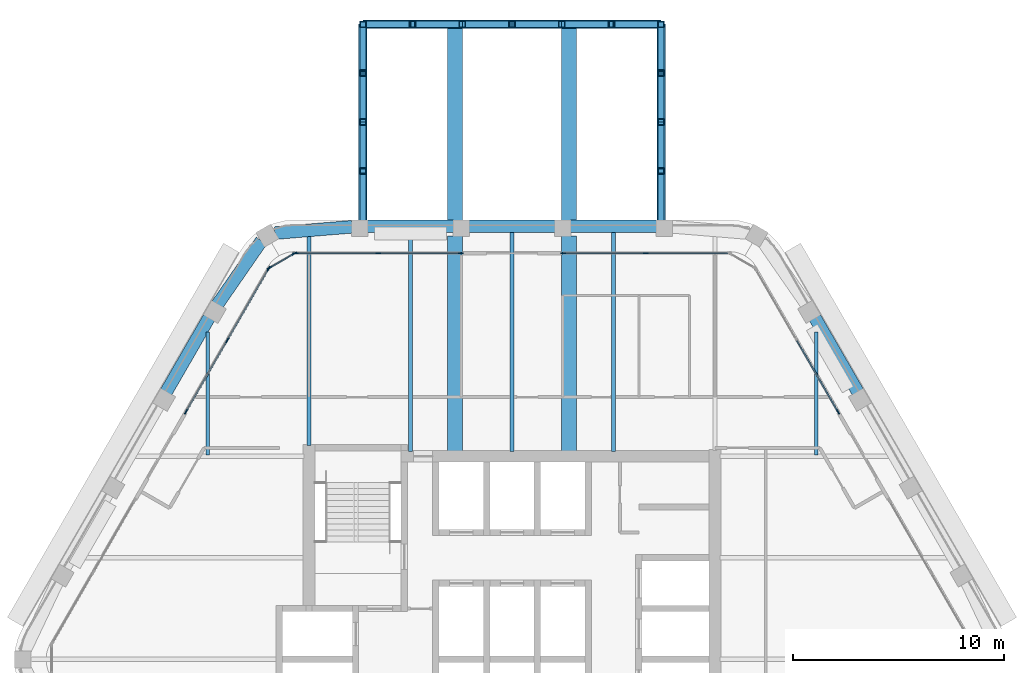
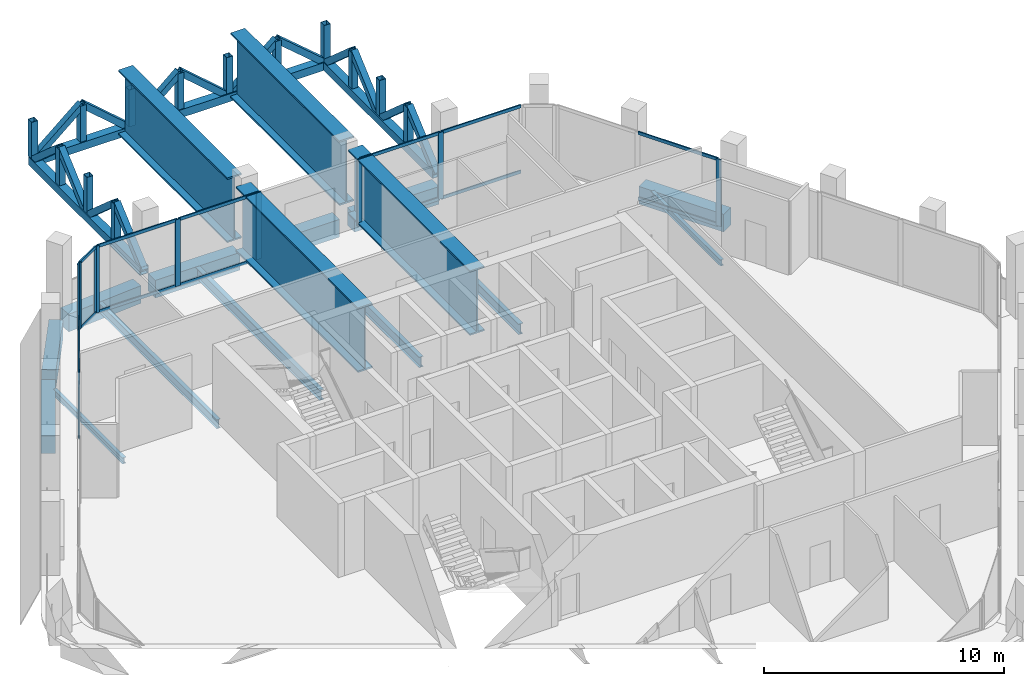
# One storey, part 5 of 14: 57 members, 17 beams, 5 elements without a shape of their own.
"""IFC4 building model written with IfcOpenShell, lengths in metres."""

from ifc_helpers import new_model, si_unit, direction, frame, origin, origin_2d, place, context, subcontext, project, spatial, rectangle, hollow_rectangle, i_section, extrude, material, material_profile, profile_set, type_object, element, aggregate, save


model = new_model("IFC4")

# Units and contexts
model_context = context("Model", 3, precision=1e-05, world=origin(), true_north=direction((0.0, 1.0)))
body_context = subcontext(model_context, "Body", "Model", "MODEL_VIEW")
ifc_project = project(units=[si_unit("LENGTHUNIT", "METRE"), si_unit("AREAUNIT", "SQUARE_METRE"), si_unit("VOLUMEUNIT", "CUBIC_METRE"), si_unit("PLANEANGLEUNIT", "RADIAN"), si_unit("MASSUNIT", "GRAM", prefix="KILO")], contexts=[model_context])

# Site, building, storey
site_placement = place(None, origin())
site = spatial("IfcSite", under=ifc_project, at=site_placement, CompositionType="ELEMENT")
building_placement = place(site_placement, origin())
building = spatial("IfcBuilding", under=site, at=building_placement, Name="Kolab Exchange Tower", CompositionType="ELEMENT")
storey_placement = place(building_placement, frame((0.0, 0.0, 265.699951171875)))
storey = spatial("IfcBuildingStorey", under=building, at=storey_placement, Name="L59", CompositionType="ELEMENT", Elevation=265.699951171875)

# Beams
ifc_material_1 = material(Name="Steel S355", Category="steel")
ifc_material_profile_1 = material_profile(ifc_material_1, i_section(OverallWidth=0.1650390625, OverallDepth=0.31005859375, WebThickness=0.005859375, FlangeThickness=0.009765625, at=origin_2d()), Name="W310X39")
ifc_profile_set_1 = profile_set([ifc_material_profile_1], Name="Steel S355")
beam_type_1 = type_object("IfcBeamType", Name="FLOOR BEAM W310X39", PredefinedType="BEAM", material=ifc_profile_set_1)
for number, where, z_axis, x_axis, name in (
    (1, (-14.39990234375, 9.674072265625, -0.304931640625), (0.0, 1.0, 0.0), (-1.0, 0.0, 0.0), "beam/L59/fr/004"),
    (2, (14.39990234375, 9.674072265625, -0.304931640625), (0.0, 1.0, 0.0), (-1.0, 0.0, 0.0), "beam/L59/fr/019"),
):
    element("IfcBeam", number, at=place(storey_placement, frame(where, z_axis=z_axis, x_axis=x_axis)), inside=storey, type_object=beam_type_1, Name=name, PredefinedType="BEAM", context=body_context, shape_type="SweptSolid", body=[
        extrude(i_section(OverallWidth=0.1650390625, OverallDepth=0.31005859375, WebThickness=0.005859375, FlangeThickness=0.009765625, at=origin_2d()), origin(), (0.0, 0.0, 1.0), 5.793701171875),
    ])
ifc_material_profile_2 = material_profile(ifc_material_1, i_section(OverallWidth=0.18994140625, OverallDepth=0.45703125, WebThickness=0.009033203125, FlangeThickness=0.014404296875, at=origin_2d()), Name="W460X74")
ifc_profile_set_2 = profile_set([ifc_material_profile_2], Name="Steel S355")
beam_type_2 = type_object("IfcBeamType", Name="FLOOR BEAM W460X74", PredefinedType="BEAM", material=ifc_profile_set_2)
beam_1_placement = place(storey_placement, frame((-9.60009765625, 10.110107421875, -0.37841796875), z_axis=(0.0, 1.0, 0.0), x_axis=(-1.0, 0.0, 0.0)))
element("IfcBeam", 3, at=beam_1_placement, inside=storey, type_object=beam_type_2, Name="beam/L59/fr/006", PredefinedType="BEAM", context=body_context, shape_type="SweptSolid", body=[
    extrude(i_section(OverallWidth=0.18994140625, OverallDepth=0.45703125, WebThickness=0.009033203125, FlangeThickness=0.014404296875, at=origin_2d()), origin(), (0.0, 0.0, 1.0), 9.9169921875),
])
ifc_material_profile_3 = material_profile(ifc_material_1, i_section(OverallWidth=0.208984375, OverallDepth=0.532958984375, WebThickness=0.01025390625, FlangeThickness=0.015625, at=origin_2d()), Name="W530X92")
ifc_profile_set_3 = profile_set([ifc_material_profile_3], Name="Steel S355")
beam_type_3 = type_object("IfcBeamType", Name="FLOOR BEAM W530X92", PredefinedType="BEAM", material=ifc_profile_set_3)
for number, where, z_axis, x_axis, name in (
    (4, (-4.800048828125, 9.8349609375, -0.41650390625), (0.0, 1.0, 0.0), (-1.0, 0.0, 0.0), "beam/L59/fr/008"),
    (5, (0.0, 9.8349609375, -0.41650390625), (0.0, 1.0, 0.0), (-1.0, 0.0, 0.0), "beam/L59/fr/010"),
    (6, (4.800048828125, 9.8349609375, -0.41650390625), (0.0, 1.0, 0.0), (-1.0, 0.0, 0.0), "beam/L59/fr/012"),
):
    element("IfcBeam", number, at=place(storey_placement, frame(where, z_axis=z_axis, x_axis=x_axis)), inside=storey, type_object=beam_type_3, Name=name, PredefinedType="BEAM", context=body_context, shape_type="SweptSolid", body=[
        extrude(i_section(OverallWidth=0.208984375, OverallDepth=0.532958984375, WebThickness=0.01025390625, FlangeThickness=0.015625, at=origin_2d()), origin(), (0.0, 0.0, 1.0), 10.3896484375),
    ])
ifc_material_profile_4 = material_profile(ifc_material_1, i_section(OverallWidth=0.699951171875, OverallDepth=3.300048828125, WebThickness=0.050048828125, FlangeThickness=0.080078125, at=origin_2d()), Name="PG3300X700")
ifc_profile_set_4 = profile_set([ifc_material_profile_4], Name="Steel S355")
beam_type_4 = type_object("IfcBeamType", Name="POOL GIRDER PG3300X700", PredefinedType="BEAM", material=ifc_profile_set_4)
beam_2_placement = place(storey_placement, frame((-2.699951171875, 9.8349609375, 1.75), z_axis=(0.0, 1.0, 0.0), x_axis=(-1.0, 0.0, 0.0)))
element("IfcBeam", 7, at=beam_2_placement, inside=storey, type_object=beam_type_4, Name="beam/L59/pool/W-back", PredefinedType="BEAM", context=body_context, shape_type="SweptSolid", body=[
    extrude(i_section(OverallWidth=0.699951171875, OverallDepth=3.300048828125, WebThickness=0.050048828125, FlangeThickness=0.080078125, at=origin_2d()), origin(), (0.0, 0.0, 1.0), 10.189697265625),
])
beam_3_placement = place(storey_placement, frame((-2.699951171875, 20.74462890625, 1.75), z_axis=(0.0, 1.0, 0.0), x_axis=(-1.0, 0.0, 0.0)))
element("IfcBeam", 8, at=beam_3_placement, inside=storey, type_object=beam_type_4, Name="beam/L59/pool/W-tip", PredefinedType="BEAM", context=body_context, shape_type="SweptSolid", body=[
    extrude(i_section(OverallWidth=0.699951171875, OverallDepth=3.300048828125, WebThickness=0.050048828125, FlangeThickness=0.080078125, at=origin_2d()), origin(), (0.0, 0.0, 1.0), 9.080078125),
])
beam_4_placement = place(storey_placement, frame((2.699951171875, 9.8349609375, 1.75), z_axis=(0.0, 1.0, 0.0), x_axis=(-1.0, 0.0, 0.0)))
element("IfcBeam", 9, at=beam_4_placement, inside=storey, type_object=beam_type_4, Name="beam/L59/pool/E-back", PredefinedType="BEAM", context=body_context, shape_type="SweptSolid", body=[
    extrude(i_section(OverallWidth=0.699951171875, OverallDepth=3.300048828125, WebThickness=0.050048828125, FlangeThickness=0.080078125, at=origin_2d()), origin(), (0.0, 0.0, 1.0), 10.189697265625),
])
beam_5_placement = place(storey_placement, frame((2.699951171875, 20.74462890625, 1.75), z_axis=(0.0, 1.0, 0.0), x_axis=(-1.0, 0.0, 0.0)))
element("IfcBeam", 10, at=beam_5_placement, inside=storey, type_object=beam_type_4, Name="beam/L59/pool/E-tip", PredefinedType="BEAM", context=body_context, shape_type="SweptSolid", body=[
    extrude(i_section(OverallWidth=0.699951171875, OverallDepth=3.300048828125, WebThickness=0.050048828125, FlangeThickness=0.080078125, at=origin_2d()), origin(), (0.0, 0.0, 1.0), 9.080078125),
])

# Members
ifc_material_profile_5 = material_profile(ifc_material_1, hollow_rectangle(XDim=0.300048828125, YDim=0.300048828125, WallThickness=0.01611328125, at=origin_2d()), Name="HSS300X300X16")
ifc_profile_set_5 = profile_set([ifc_material_profile_5], Name="Steel S355")
member_type_1 = type_object("IfcMemberType", Name="POOL TRUSS BRACE HSS300X300X16", PredefinedType="BRACE", material=ifc_profile_set_5)
member_1_placement = place(storey_placement, frame((-7.050048828125, 20.74462890625, 0.10009765625), z_axis=(0.0, 0.755502792525, 0.655145426976), x_axis=(-1.0, 0.0, 0.0)))
element("IfcMember", 11, at=member_1_placement, inside=storey, type_object=member_type_1, Name="mem/L59/pool/W-truss/diag-1", PredefinedType="BRACE", context=body_context, shape_type="SweptSolid", body=[
    extrude(hollow_rectangle(XDim=0.300048828125, YDim=0.300048828125, WallThickness=0.01611328125, at=origin_2d()), origin(), (0.0, 0.0, 1.0), 3.11376953125),
])
for number, where, z_axis, x_axis, name in (
    (12, (-7.050048828125, 23.09716796875, 2.14013671875), (0.0, 0.749902543592, -0.661548316538), (-1.0, 0.0, 0.0), "mem/L59/pool/W-truss/diag-2"),
    (13, (-7.050048828125, 25.40966796875, 0.10009765625), (0.0, 0.749902543592, 0.661548316538), (-1.0, 0.0, 0.0), "mem/L59/pool/W-truss/diag-3"),
    (14, (-7.050048828125, 27.72216796875, 2.14013671875), (0.0, 0.749902543592, -0.661548316538), (-1.0, 0.0, 0.0), "mem/L59/pool/W-truss/diag-4"),
):
    element("IfcMember", number, at=place(storey_placement, frame(where, z_axis=z_axis, x_axis=x_axis)), inside=storey, type_object=member_type_1, Name=name, PredefinedType="BRACE", context=body_context, shape_type="SweptSolid", body=[
        extrude(hollow_rectangle(XDim=0.300048828125, YDim=0.300048828125, WallThickness=0.01611328125, at=origin_2d()), origin(), (0.0, 0.0, 1.0), 3.083740234375),
    ])
member_2_placement = place(storey_placement, frame((7.050048828125, 20.74462890625, 0.10009765625), z_axis=(0.0, 0.755502792525, 0.655145426976), x_axis=(-1.0, 0.0, 0.0)))
element("IfcMember", 15, at=member_2_placement, inside=storey, type_object=member_type_1, Name="mem/L59/pool/E-truss/diag-1", PredefinedType="BRACE", context=body_context, shape_type="SweptSolid", body=[
    extrude(hollow_rectangle(XDim=0.300048828125, YDim=0.300048828125, WallThickness=0.01611328125, at=origin_2d()), origin(), (0.0, 0.0, 1.0), 3.11376953125),
])
for number, where, z_axis, x_axis, name in (
    (16, (7.050048828125, 23.09716796875, 2.14013671875), (0.0, 0.749902543592, -0.661548316538), (-1.0, 0.0, 0.0), "mem/L59/pool/E-truss/diag-2"),
    (17, (7.050048828125, 25.40966796875, 0.10009765625), (0.0, 0.749902543592, 0.661548316538), (-1.0, 0.0, 0.0), "mem/L59/pool/E-truss/diag-3"),
    (18, (7.050048828125, 27.72216796875, 2.14013671875), (0.0, 0.749902543592, -0.661548316538), (-1.0, 0.0, 0.0), "mem/L59/pool/E-truss/diag-4"),
):
    element("IfcMember", number, at=place(storey_placement, frame(where, z_axis=z_axis, x_axis=x_axis)), inside=storey, type_object=member_type_1, Name=name, PredefinedType="BRACE", context=body_context, shape_type="SweptSolid", body=[
        extrude(hollow_rectangle(XDim=0.300048828125, YDim=0.300048828125, WallThickness=0.01611328125, at=origin_2d()), origin(), (0.0, 0.0, 1.0), 3.083740234375),
    ])
member_3_placement = place(storey_placement, frame((-7.090087890625, 30.03466796875, 0.10009765625), z_axis=(0.760615029795, 0.0, 0.649203185798), x_axis=(0.0, 1.0, 0.0)))
element("IfcMember", 19, at=member_3_placement, inside=storey, type_object=member_type_1, Name="mem/L59/pool/tip-truss/diag-1", PredefinedType="BRACE", context=body_context, shape_type="SweptSolid", body=[
    extrude(hollow_rectangle(XDim=0.300048828125, YDim=0.300048828125, WallThickness=0.01611328125, at=origin_2d()), origin(), (0.0, 0.0, 1.0), 3.142333984375),
])
member_4_placement = place(storey_placement, frame((-4.699951171875, 30.03466796875, 2.14013671875), z_axis=(0.755132255206, 0.0, -0.655572480468), x_axis=(0.0, 1.0, 0.0)))
element("IfcMember", 20, at=member_4_placement, inside=storey, type_object=member_type_1, Name="mem/L59/pool/tip-truss/diag-2", PredefinedType="BRACE", context=body_context, shape_type="SweptSolid", body=[
    extrude(hollow_rectangle(XDim=0.300048828125, YDim=0.300048828125, WallThickness=0.01611328125, at=origin_2d()), origin(), (0.0, 0.0, 1.0), 3.11181640625),
])
for number, where, z_axis, x_axis, name in (
    (21, (-2.35009765625, 30.03466796875, 0.10009765625), (0.755165970358, 0.0, 0.655533643083), (0.0, 1.0, 0.0), "mem/L59/pool/tip-truss/diag-3"),
    (22, (0.0, 30.03466796875, 2.14013671875), (0.755165970358, 0.0, -0.655533643083), (0.0, 1.0, 0.0), "mem/L59/pool/tip-truss/diag-4"),
):
    element("IfcMember", number, at=place(storey_placement, frame(where, z_axis=z_axis, x_axis=x_axis)), inside=storey, type_object=member_type_1, Name=name, PredefinedType="BRACE", context=body_context, shape_type="SweptSolid", body=[
        extrude(hollow_rectangle(XDim=0.300048828125, YDim=0.300048828125, WallThickness=0.01611328125, at=origin_2d()), origin(), (0.0, 0.0, 1.0), 3.112060546875),
    ])
member_5_placement = place(storey_placement, frame((2.35009765625, 30.03466796875, 0.10009765625), z_axis=(0.755132255206, 0.0, 0.655572480468), x_axis=(0.0, 1.0, 0.0)))
element("IfcMember", 23, at=member_5_placement, inside=storey, type_object=member_type_1, Name="mem/L59/pool/tip-truss/diag-5", PredefinedType="BRACE", context=body_context, shape_type="SweptSolid", body=[
    extrude(hollow_rectangle(XDim=0.300048828125, YDim=0.300048828125, WallThickness=0.01611328125, at=origin_2d()), origin(), (0.0, 0.0, 1.0), 3.11181640625),
])
member_6_placement = place(storey_placement, frame((4.699951171875, 30.03466796875, 2.14013671875), z_axis=(0.760615029795, 0.0, -0.649203185798), x_axis=(0.0, 1.0, 0.0)))
element("IfcMember", 24, at=member_6_placement, inside=storey, type_object=member_type_1, Name="mem/L59/pool/tip-truss/diag-6", PredefinedType="BRACE", context=body_context, shape_type="SweptSolid", body=[
    extrude(hollow_rectangle(XDim=0.300048828125, YDim=0.300048828125, WallThickness=0.01611328125, at=origin_2d()), origin(), (0.0, 0.0, 1.0), 3.142333984375),
])
ifc_material_profile_6 = material_profile(ifc_material_1, hollow_rectangle(XDim=0.39990234375, YDim=0.39990234375, WallThickness=0.02001953125, at=origin_2d()), Name="HSS400X400X20")
ifc_profile_set_6 = profile_set([ifc_material_profile_6], Name="Steel S355")
member_type_2 = type_object("IfcMemberType", Name="POOL TRUSS CHORD HSS400X400X20", PredefinedType="CHORD", material=ifc_profile_set_6)
for number, where, z_axis, x_axis, name in (
    (25, (-7.050048828125, 20.74462890625, 0.10009765625), (0.0, 1.0, 0.0), (-1.0, 0.0, 0.0), "mem/L59/pool/W-truss/chord"),
    (26, (7.050048828125, 20.74462890625, 0.10009765625), (0.0, 1.0, 0.0), (-1.0, 0.0, 0.0), "mem/L59/pool/E-truss/chord"),
):
    element("IfcMember", number, at=place(storey_placement, frame(where, z_axis=z_axis, x_axis=x_axis)), inside=storey, type_object=member_type_2, Name=name, PredefinedType="CHORD", context=body_context, shape_type="SweptSolid", body=[
        extrude(hollow_rectangle(XDim=0.39990234375, YDim=0.39990234375, WallThickness=0.02001953125, at=origin_2d()), origin(), (0.0, 0.0, 1.0), 9.2900390625),
    ])
member_7_placement = place(storey_placement, frame((-7.050048828125, 30.03466796875, 0.10009765625), z_axis=(1.0, 0.0, 0.0), x_axis=(0.0, 1.0, 0.0)))
element("IfcMember", 27, at=member_7_placement, inside=storey, type_object=member_type_2, Name="mem/L59/pool/tip-truss/chord", PredefinedType="CHORD", context=body_context, shape_type="SweptSolid", body=[
    extrude(hollow_rectangle(XDim=0.39990234375, YDim=0.39990234375, WallThickness=0.02001953125, at=origin_2d()), origin(), (0.0, 0.0, 1.0), 14.10009765625),
])
ifc_material_profile_7 = material_profile(ifc_material_1, hollow_rectangle(XDim=0.300048828125, YDim=0.300048828125, WallThickness=0.01611328125, at=origin_2d()), Name="HSS300X300X16")
ifc_profile_set_7 = profile_set([ifc_material_profile_7], Name="Steel S355")
member_type_3 = type_object("IfcMemberType", Name="POOL TRUSS POST HSS300X300X16", PredefinedType="POST", material=ifc_profile_set_7)
for number, where, z_axis, x_axis, name in (
    (28, (-7.050048828125, 23.09716796875, 0.260009765625), (0.0, 0.0, 1.0), (1.0, 0.0, 0.0), "mem/L59/pool/W-truss/post-1"),
    (29, (-7.050048828125, 25.40966796875, 0.260009765625), (0.0, 0.0, 1.0), (1.0, 0.0, 0.0), "mem/L59/pool/W-truss/post-2"),
    (30, (-7.050048828125, 27.72216796875, 0.260009765625), (0.0, 0.0, 1.0), (1.0, 0.0, 0.0), "mem/L59/pool/W-truss/post-3"),
    (31, (-7.050048828125, 30.03466796875, 0.260009765625), (0.0, 0.0, 1.0), (1.0, 0.0, 0.0), "mem/L59/pool/W-truss/post-4"),
    (32, (7.050048828125, 23.09716796875, 0.260009765625), (0.0, 0.0, 1.0), (1.0, 0.0, 0.0), "mem/L59/pool/E-truss/post-1"),
    (33, (7.050048828125, 25.40966796875, 0.260009765625), (0.0, 0.0, 1.0), (1.0, 0.0, 0.0), "mem/L59/pool/E-truss/post-2"),
    (34, (7.050048828125, 27.72216796875, 0.260009765625), (0.0, 0.0, 1.0), (1.0, 0.0, 0.0), "mem/L59/pool/E-truss/post-3"),
    (35, (7.050048828125, 30.03466796875, 0.260009765625), (0.0, 0.0, 1.0), (1.0, 0.0, 0.0), "mem/L59/pool/E-truss/post-4"),
    (36, (-4.699951171875, 30.03466796875, 0.260009765625), (0.0, 0.0, 1.0), (1.0, 0.0, 0.0), "mem/L59/pool/tip-truss/post-1"),
    (37, (-2.35009765625, 30.03466796875, 0.260009765625), (0.0, 0.0, 1.0), (1.0, 0.0, 0.0), "mem/L59/pool/tip-truss/post-2"),
    (38, (0.0, 30.03466796875, 0.260009765625), (0.0, 0.0, 1.0), (1.0, 0.0, 0.0), "mem/L59/pool/tip-truss/post-3"),
    (39, (2.35009765625, 30.03466796875, 0.260009765625), (0.0, 0.0, 1.0), (1.0, 0.0, 0.0), "mem/L59/pool/tip-truss/post-4"),
    (40, (4.699951171875, 30.03466796875, 0.260009765625), (0.0, 0.0, 1.0), (1.0, 0.0, 0.0), "mem/L59/pool/tip-truss/post-5"),
):
    element("IfcMember", number, at=place(storey_placement, frame(where, z_axis=z_axis, x_axis=x_axis)), inside=storey, type_object=member_type_3, Name=name, PredefinedType="POST", context=body_context, shape_type="SweptSolid", body=[
        extrude(hollow_rectangle(XDim=0.300048828125, YDim=0.300048828125, WallThickness=0.01611328125, at=origin_2d()), origin(), (0.0, 0.0, 1.0), 1.880126953125),
    ])

# Beams
ifc_material_2 = material(Name="Concrete C50/60", Category="concrete")
ifc_material_profile_8 = material_profile(ifc_material_2, rectangle(XDim=0.60009765625, YDim=0.89990234375, at=origin_2d()), Name="RC600X900")
ifc_profile_set_8 = profile_set([ifc_material_profile_8], Name="Concrete C50/60")
beam_type_5 = type_object("IfcBeamType", Name="SPANDREL BEAM 600X900 C50/60", PredefinedType="BEAM", material=ifc_profile_set_8)
beam_6_placement = place(storey_placement, frame((-11.216796875, 20.15576171875, -0.599853515625), z_axis=(0.996666751878, 0.081580547323, 0.0), x_axis=(-0.081580547323, 0.996666751878, 0.0)))
element("IfcBeam", 41, at=beam_6_placement, inside=storey, type_object=beam_type_5, Name="beam/L59/sp/F1-01", PredefinedType="BEAM", context=body_context, shape_type="SweptSolid", body=[
    extrude(rectangle(XDim=0.60009765625, YDim=0.89990234375, at=origin_2d()), origin(), (0.0, 0.0, 1.0), 3.6689453125),
])
for number, where, z_axis, x_axis, name in (
    (42, (-6.840087890625, 20.484619140625, -0.599853515625), (1.0, 0.0, 0.0), (0.0, 1.0, 0.0), "beam/L59/sp/F1-02"),
    (43, (-2.0400390625, 20.484619140625, -0.599853515625), (1.0, 0.0, 0.0), (0.0, 1.0, 0.0), "beam/L59/sp/F1-03"),
    (44, (2.760009765625, 20.484619140625, -0.599853515625), (1.0, 0.0, 0.0), (0.0, 1.0, 0.0), "beam/L59/sp/F1-04"),
):
    element("IfcBeam", number, at=place(storey_placement, frame(where, z_axis=z_axis, x_axis=x_axis)), inside=storey, type_object=beam_type_5, Name=name, PredefinedType="BEAM", context=body_context, shape_type="SweptSolid", body=[
        extrude(rectangle(XDim=0.60009765625, YDim=0.89990234375, at=origin_2d()), origin(), (0.0, 0.0, 1.0), 4.080078125),
    ])
for number, where, z_axis, x_axis, name in (
    (45, (14.3203125, 16.166015625, -0.599853515625), (0.499955548806, -0.866051066172, 0.0), (0.866051066172, 0.499955548806, 0.0), "beam/L59/sp/F2-02"),
    (46, (-16.360107421875, 12.632568359375, -0.599853515625), (0.499955548806, 0.866051066172, 0.0), (-0.866051066172, 0.499955548806, 0.0), "beam/L59/sp/F6-04"),
):
    element("IfcBeam", number, at=place(storey_placement, frame(where, z_axis=z_axis, x_axis=x_axis)), inside=storey, type_object=beam_type_5, Name=name, PredefinedType="BEAM", context=body_context, shape_type="SweptSolid", body=[
        extrude(rectangle(XDim=0.60009765625, YDim=0.89990234375, at=origin_2d()), origin(), (0.0, 0.0, 1.0), 4.079833984375),
    ])
beam_7_placement = place(storey_placement, frame((-13.9345703125, 16.77490234375, -0.599853515625), z_axis=(0.569005808573, 0.822333502789, 0.0), x_axis=(-0.822333502789, 0.569005808573, 0.0)))
element("IfcBeam", 47, at=beam_7_placement, inside=storey, type_object=beam_type_5, Name="beam/L59/sp/F6-05", PredefinedType="BEAM", context=body_context, shape_type="SweptSolid", body=[
    extrude(rectangle(XDim=0.60009765625, YDim=0.89990234375, at=origin_2d()), origin(), (0.0, 0.0, 1.0), 3.6689453125),
])

# Curtain wall, members
ifc_material_3 = material(Name="Aluminium EN AW-6063 T6", Category="aluminium")
curtain_wall_type = type_object("IfcCurtainWallType", Name="UNITISED HIGH ZONE CURTAIN WALL", PredefinedType="NOTDEFINED", material=ifc_material_3)
curtain_wall_1_placement = place(storey_placement, origin())
curtain_wall_1 = element("IfcCurtainWall", 48, at=curtain_wall_1_placement, inside=storey, type_object=curtain_wall_type, Name="cw/L59/F1-1", PredefinedType="NOTDEFINED")
ifc_material_profile_9 = material_profile(ifc_material_3, rectangle(XDim=0.06005859375, YDim=0.239990234375, at=origin_2d()), Name="RECT 60X240")
ifc_profile_set_9 = profile_set([ifc_material_profile_9], Name="Aluminium EN AW-6063 T6")
member_type_4 = type_object("IfcMemberType", Name="UNITISED HIGH ZONE MULLION 60 X 240", PredefinedType="MULLION", material=ifc_profile_set_9)
member_8_placement = place(storey_placement, frame((-10.238037109375, 19.20458984375, 0.0), z_axis=(0.0, 0.0, 1.0), x_axis=(0.0, 1.0, 0.0)))
member_8 = element("IfcMember", 49, at=member_8_placement, type_object=member_type_4, Name="CW4 mullion 1", PredefinedType="MULLION", context=body_context, shape_type="SweptSolid", body=[
    extrude(rectangle(XDim=0.06005859375, YDim=0.239990234375, at=origin_2d()), origin(), (0.0, 0.0, 1.0), 3.400146484375),
])
member_9_placement = place(storey_placement, frame((-6.333984375, 19.20458984375, 0.0), z_axis=(0.0, 0.0, 1.0), x_axis=(0.0, 1.0, 0.0)))
member_9 = element("IfcMember", 50, at=member_9_placement, type_object=member_type_4, Name="CW4 mullion 2", PredefinedType="MULLION", context=body_context, shape_type="SweptSolid", body=[
    extrude(rectangle(XDim=0.06005859375, YDim=0.239990234375, at=origin_2d()), origin(), (0.0, 0.0, 1.0), 3.400146484375),
])
member_10_placement = place(storey_placement, frame((-2.429931640625, 19.20458984375, 0.0), z_axis=(0.0, 0.0, 1.0), x_axis=(0.0, 1.0, 0.0)))
member_10 = element("IfcMember", 51, at=member_10_placement, type_object=member_type_4, Name="CW4 mullion 3", PredefinedType="MULLION", context=body_context, shape_type="SweptSolid", body=[
    extrude(rectangle(XDim=0.06005859375, YDim=0.239990234375, at=origin_2d()), origin(), (0.0, 0.0, 1.0), 3.400146484375),
])

curtain_wall_2_placement = place(storey_placement, origin())
curtain_wall_2 = element("IfcCurtainWall", 52, at=curtain_wall_2_placement, inside=storey, type_object=curtain_wall_type, Name="cw/L59/F1-2", PredefinedType="NOTDEFINED")
member_11_placement = place(storey_placement, frame((2.429931640625, 19.20458984375, 0.0), z_axis=(0.0, 0.0, 1.0), x_axis=(0.0, 1.0, 0.0)))
member_11 = element("IfcMember", 53, at=member_11_placement, type_object=member_type_4, Name="CW4 mullion 1", PredefinedType="MULLION", context=body_context, shape_type="SweptSolid", body=[
    extrude(rectangle(XDim=0.06005859375, YDim=0.239990234375, at=origin_2d()), origin(), (0.0, 0.0, 1.0), 3.400146484375),
])
member_12_placement = place(storey_placement, frame((6.333984375, 19.20458984375, 0.0), z_axis=(0.0, 0.0, 1.0), x_axis=(0.0, 1.0, 0.0)))
member_12 = element("IfcMember", 54, at=member_12_placement, type_object=member_type_4, Name="CW4 mullion 2", PredefinedType="MULLION", context=body_context, shape_type="SweptSolid", body=[
    extrude(rectangle(XDim=0.06005859375, YDim=0.239990234375, at=origin_2d()), origin(), (0.0, 0.0, 1.0), 3.400146484375),
])

# Curtain wall, member
curtain_wall_3_placement = place(storey_placement, origin())
curtain_wall_3 = element("IfcCurtainWall", 55, at=curtain_wall_3_placement, inside=storey, type_object=curtain_wall_type, Name="cw/L59/F2-1", PredefinedType="NOTDEFINED")
member_13_placement = place(storey_placement, frame((15.416748046875, 11.706787109375, 0.0), z_axis=(0.0, 0.0, 1.0), x_axis=(0.866025385493, 0.500000031681, 0.0)))
member_13 = element("IfcMember", 56, at=member_13_placement, type_object=member_type_4, Name="CW4 mullion 3", PredefinedType="MULLION", context=body_context, shape_type="SweptSolid", body=[
    extrude(rectangle(XDim=0.06005859375, YDim=0.239990234375, at=origin_2d()), origin(), (0.0, 0.0, 1.0), 3.400146484375),
])

# Curtain wall, members
curtain_wall_4_placement = place(storey_placement, origin())
curtain_wall_4 = element("IfcCurtainWall", 57, at=curtain_wall_4_placement, inside=storey, type_object=curtain_wall_type, Name="cw/L59/F6-2", PredefinedType="NOTDEFINED")
member_14_placement = place(storey_placement, frame((-15.416748046875, 11.706787109375, 0.0), z_axis=(0.0, 0.0, 1.0), x_axis=(-0.866025385493, 0.500000031681, 0.0)))
member_14 = element("IfcMember", 58, at=member_14_placement, type_object=member_type_4, Name="CW4 mullion 1", PredefinedType="MULLION", context=body_context, shape_type="SweptSolid", body=[
    extrude(rectangle(XDim=0.06005859375, YDim=0.239990234375, at=origin_2d()), origin(), (0.0, 0.0, 1.0), 3.400146484375),
])
member_15_placement = place(storey_placement, frame((-13.464599609375, 15.087646484375, 0.0), z_axis=(0.0, 0.0, 1.0), x_axis=(-0.866025385493, 0.500000031681, 0.0)))
member_15 = element("IfcMember", 59, at=member_15_placement, type_object=member_type_4, Name="CW4 mullion 2", PredefinedType="MULLION", context=body_context, shape_type="SweptSolid", body=[
    extrude(rectangle(XDim=0.06005859375, YDim=0.239990234375, at=origin_2d()), origin(), (0.0, 0.0, 1.0), 3.400146484375),
])
member_16_placement = place(storey_placement, frame((-11.5126953125, 18.46875, 0.0), z_axis=(0.0, 0.0, 1.0), x_axis=(-0.866025385493, 0.500000031681, 0.0)))
member_16 = element("IfcMember", 60, at=member_16_placement, type_object=member_type_4, Name="CW4 mullion 3", PredefinedType="MULLION", context=body_context, shape_type="SweptSolid", body=[
    extrude(rectangle(XDim=0.06005859375, YDim=0.239990234375, at=origin_2d()), origin(), (0.0, 0.0, 1.0), 3.400146484375),
])

curtain_wall_5_placement = place(storey_placement, origin())
curtain_wall_5 = element("IfcCurtainWall", 61, at=curtain_wall_5_placement, inside=storey, type_object=curtain_wall_type, Name="cw/L59/F6F1-corner", PredefinedType="NOTDEFINED")
member_17_placement = place(storey_placement, frame((-11.4716796875, 18.509521484375, 0.0), z_axis=(0.0, 0.0, 1.0), x_axis=(-0.50000002237, 0.866025390869, 0.0)))
member_17 = element("IfcMember", 62, at=member_17_placement, type_object=member_type_4, Name="CW4 mullion 1", PredefinedType="MULLION", context=body_context, shape_type="SweptSolid", body=[
    extrude(rectangle(XDim=0.06005859375, YDim=0.239990234375, at=origin_2d()), origin(), (0.0, 0.0, 1.0), 3.400146484375),
])
member_18_placement = place(storey_placement, frame((-10.2939453125, 19.189697265625, 0.0), z_axis=(0.0, 0.0, 1.0), x_axis=(-0.50000002237, 0.866025390869, 0.0)))
member_18 = element("IfcMember", 63, at=member_18_placement, type_object=member_type_4, Name="CW4 mullion 2", PredefinedType="MULLION", context=body_context, shape_type="SweptSolid", body=[
    extrude(rectangle(XDim=0.06005859375, YDim=0.239990234375, at=origin_2d()), origin(), (0.0, 0.0, 1.0), 3.400146484375),
])

# Member
ifc_material_profile_10 = material_profile(ifc_material_3, rectangle(XDim=0.06005859375, YDim=0.159912109375, at=origin_2d()), Name="RECT 60X160")
ifc_profile_set_10 = profile_set([ifc_material_profile_10], Name="Aluminium EN AW-6063 T6")
member_type_5 = type_object("IfcMemberType", Name="UNITISED HIGH ZONE TRANSOM 60 X 160", PredefinedType="USERDEFINED", material=ifc_profile_set_10)
member_19_placement = place(storey_placement, frame((-10.2080078125, 19.20458984375, 0.030029296875), z_axis=(1.0, 0.0, 0.0), x_axis=(0.0, 1.0, 0.0)))
member_19 = element("IfcMember", 64, at=member_19_placement, type_object=member_type_5, Name="CW4 transom 1.1", ObjectType="TRANSOM", PredefinedType="USERDEFINED", context=body_context, shape_type="SweptSolid", body=[
    extrude(rectangle(XDim=0.06005859375, YDim=0.159912109375, at=origin_2d()), origin(), (0.0, 0.0, 1.0), 3.843994140625),
])

member_20_placement = place(storey_placement, frame((-10.2080078125, 19.20458984375, 3.3701171875), z_axis=(1.0, 0.0, 0.0), x_axis=(0.0, 1.0, 0.0)))
member_20 = element("IfcMember", 65, at=member_20_placement, type_object=member_type_5, Name="CW4 transom 1.2", ObjectType="TRANSOM", PredefinedType="USERDEFINED", context=body_context, shape_type="SweptSolid", body=[
    extrude(rectangle(XDim=0.06005859375, YDim=0.159912109375, at=origin_2d()), origin(), (0.0, 0.0, 1.0), 3.843994140625),
])

member_21_placement = place(storey_placement, frame((-6.303955078125, 19.20458984375, 0.030029296875), z_axis=(1.0, 0.0, 0.0), x_axis=(0.0, 1.0, 0.0)))
member_21 = element("IfcMember", 66, at=member_21_placement, type_object=member_type_5, Name="CW4 transom 2.1", ObjectType="TRANSOM", PredefinedType="USERDEFINED", context=body_context, shape_type="SweptSolid", body=[
    extrude(rectangle(XDim=0.06005859375, YDim=0.159912109375, at=origin_2d()), origin(), (0.0, 0.0, 1.0), 3.843994140625),
])

member_22_placement = place(storey_placement, frame((-6.303955078125, 19.20458984375, 3.3701171875), z_axis=(1.0, 0.0, 0.0), x_axis=(0.0, 1.0, 0.0)))
member_22 = element("IfcMember", 67, at=member_22_placement, type_object=member_type_5, Name="CW4 transom 2.2", ObjectType="TRANSOM", PredefinedType="USERDEFINED", context=body_context, shape_type="SweptSolid", body=[
    extrude(rectangle(XDim=0.06005859375, YDim=0.159912109375, at=origin_2d()), origin(), (0.0, 0.0, 1.0), 3.843994140625),
])

aggregate(curtain_wall_1, [member_8, member_9, member_10, member_19, member_20, member_21, member_22])

member_23_placement = place(storey_placement, frame((2.4599609375, 19.20458984375, 0.030029296875), z_axis=(1.0, 0.0, 0.0), x_axis=(0.0, 1.0, 0.0)))
member_23 = element("IfcMember", 68, at=member_23_placement, type_object=member_type_5, Name="CW4 transom 1.1", ObjectType="TRANSOM", PredefinedType="USERDEFINED", context=body_context, shape_type="SweptSolid", body=[
    extrude(rectangle(XDim=0.06005859375, YDim=0.159912109375, at=origin_2d()), origin(), (0.0, 0.0, 1.0), 3.843994140625),
])

member_24_placement = place(storey_placement, frame((2.4599609375, 19.20458984375, 3.3701171875), z_axis=(1.0, 0.0, 0.0), x_axis=(0.0, 1.0, 0.0)))
member_24 = element("IfcMember", 69, at=member_24_placement, type_object=member_type_5, Name="CW4 transom 1.2", ObjectType="TRANSOM", PredefinedType="USERDEFINED", context=body_context, shape_type="SweptSolid", body=[
    extrude(rectangle(XDim=0.06005859375, YDim=0.159912109375, at=origin_2d()), origin(), (0.0, 0.0, 1.0), 3.843994140625),
])

member_25_placement = place(storey_placement, frame((6.364013671875, 19.20458984375, 0.030029296875), z_axis=(1.0, 0.0, 0.0), x_axis=(0.0, 1.0, 0.0)))
member_25 = element("IfcMember", 70, at=member_25_placement, type_object=member_type_5, Name="CW4 transom 2.1", ObjectType="TRANSOM", PredefinedType="USERDEFINED", context=body_context, shape_type="SweptSolid", body=[
    extrude(rectangle(XDim=0.06005859375, YDim=0.159912109375, at=origin_2d()), origin(), (0.0, 0.0, 1.0), 3.843994140625),
])

member_26_placement = place(storey_placement, frame((6.364013671875, 19.20458984375, 3.3701171875), z_axis=(1.0, 0.0, 0.0), x_axis=(0.0, 1.0, 0.0)))
member_26 = element("IfcMember", 71, at=member_26_placement, type_object=member_type_5, Name="CW4 transom 2.2", ObjectType="TRANSOM", PredefinedType="USERDEFINED", context=body_context, shape_type="SweptSolid", body=[
    extrude(rectangle(XDim=0.06005859375, YDim=0.159912109375, at=origin_2d()), origin(), (0.0, 0.0, 1.0), 3.843994140625),
])

aggregate(curtain_wall_2, [member_11, member_12, member_23, member_24, member_25, member_26])

member_27_placement = place(storey_placement, frame((13.479736328125, 15.061767578125, 0.030029296875), z_axis=(0.499964356602, -0.866045981532, 0.0), x_axis=(0.866045981532, 0.499964356602, 0.0)))
member_27 = element("IfcMember", 72, at=member_27_placement, type_object=member_type_5, Name="CW4 transom 2.1", ObjectType="TRANSOM", PredefinedType="USERDEFINED", context=body_context, shape_type="SweptSolid", body=[
    extrude(rectangle(XDim=0.06005859375, YDim=0.159912109375, at=origin_2d()), origin(), (0.0, 0.0, 1.0), 3.843994140625),
])

member_28_placement = place(storey_placement, frame((13.479736328125, 15.061767578125, 3.3701171875), z_axis=(0.499964356602, -0.866045981532, 0.0), x_axis=(0.866045981532, 0.499964356602, 0.0)))
member_28 = element("IfcMember", 73, at=member_28_placement, type_object=member_type_5, Name="CW4 transom 2.2", ObjectType="TRANSOM", PredefinedType="USERDEFINED", context=body_context, shape_type="SweptSolid", body=[
    extrude(rectangle(XDim=0.06005859375, YDim=0.159912109375, at=origin_2d()), origin(), (0.0, 0.0, 1.0), 3.843994140625),
])

aggregate(curtain_wall_3, [member_13, member_27, member_28])

member_29_placement = place(storey_placement, frame((-15.401611328125, 11.732666015625, 0.030029296875), z_axis=(0.499964356602, 0.866045981532, 0.0), x_axis=(-0.866045981532, 0.499964356602, 0.0)))
member_29 = element("IfcMember", 74, at=member_29_placement, type_object=member_type_5, Name="CW4 transom 1.1", ObjectType="TRANSOM", PredefinedType="USERDEFINED", context=body_context, shape_type="SweptSolid", body=[
    extrude(rectangle(XDim=0.06005859375, YDim=0.159912109375, at=origin_2d()), origin(), (0.0, 0.0, 1.0), 3.843994140625),
])

member_30_placement = place(storey_placement, frame((-15.401611328125, 11.732666015625, 3.3701171875), z_axis=(0.499964356602, 0.866045981532, 0.0), x_axis=(-0.866045981532, 0.499964356602, 0.0)))
member_30 = element("IfcMember", 75, at=member_30_placement, type_object=member_type_5, Name="CW4 transom 1.2", ObjectType="TRANSOM", PredefinedType="USERDEFINED", context=body_context, shape_type="SweptSolid", body=[
    extrude(rectangle(XDim=0.06005859375, YDim=0.159912109375, at=origin_2d()), origin(), (0.0, 0.0, 1.0), 3.843994140625),
])

member_31_placement = place(storey_placement, frame((-13.44970703125, 15.11376953125, 0.030029296875), z_axis=(0.500039492609, 0.866002601515, 0.0), x_axis=(-0.866002601515, 0.500039492609, 0.0)))
member_31 = element("IfcMember", 76, at=member_31_placement, type_object=member_type_5, Name="CW4 transom 2.1", ObjectType="TRANSOM", PredefinedType="USERDEFINED", context=body_context, shape_type="SweptSolid", body=[
    extrude(rectangle(XDim=0.06005859375, YDim=0.159912109375, at=origin_2d()), origin(), (0.0, 0.0, 1.0), 3.843994140625),
])

member_32_placement = place(storey_placement, frame((-13.44970703125, 15.11376953125, 3.3701171875), z_axis=(0.500039492609, 0.866002601515, 0.0), x_axis=(-0.866002601515, 0.500039492609, 0.0)))
member_32 = element("IfcMember", 77, at=member_32_placement, type_object=member_type_5, Name="CW4 transom 2.2", ObjectType="TRANSOM", PredefinedType="USERDEFINED", context=body_context, shape_type="SweptSolid", body=[
    extrude(rectangle(XDim=0.06005859375, YDim=0.159912109375, at=origin_2d()), origin(), (0.0, 0.0, 1.0), 3.843994140625),
])

aggregate(curtain_wall_4, [member_14, member_15, member_16, member_29, member_30, member_31, member_32])

member_33_placement = place(storey_placement, frame((-11.44580078125, 18.524658203125, 0.030029296875), z_axis=(0.866085525409, 0.49989585183, 0.0), x_axis=(-0.49989585183, 0.866085525409, 0.0)))
member_33 = element("IfcMember", 78, at=member_33_placement, type_object=member_type_5, Name="CW4 transom 1.1", ObjectType="TRANSOM", PredefinedType="USERDEFINED", context=body_context, shape_type="SweptSolid", body=[
    extrude(rectangle(XDim=0.06005859375, YDim=0.159912109375, at=origin_2d()), origin(), (0.0, 0.0, 1.0), 1.300048828125),
])

member_34_placement = place(storey_placement, frame((-11.44580078125, 18.524658203125, 3.3701171875), z_axis=(0.866085525409, 0.49989585183, 0.0), x_axis=(-0.49989585183, 0.866085525409, 0.0)))
member_34 = element("IfcMember", 79, at=member_34_placement, type_object=member_type_5, Name="CW4 transom 1.2", ObjectType="TRANSOM", PredefinedType="USERDEFINED", context=body_context, shape_type="SweptSolid", body=[
    extrude(rectangle(XDim=0.06005859375, YDim=0.159912109375, at=origin_2d()), origin(), (0.0, 0.0, 1.0), 1.300048828125),
])

aggregate(curtain_wall_5, [member_17, member_18, member_33, member_34])

save(model, "model.ifc")
